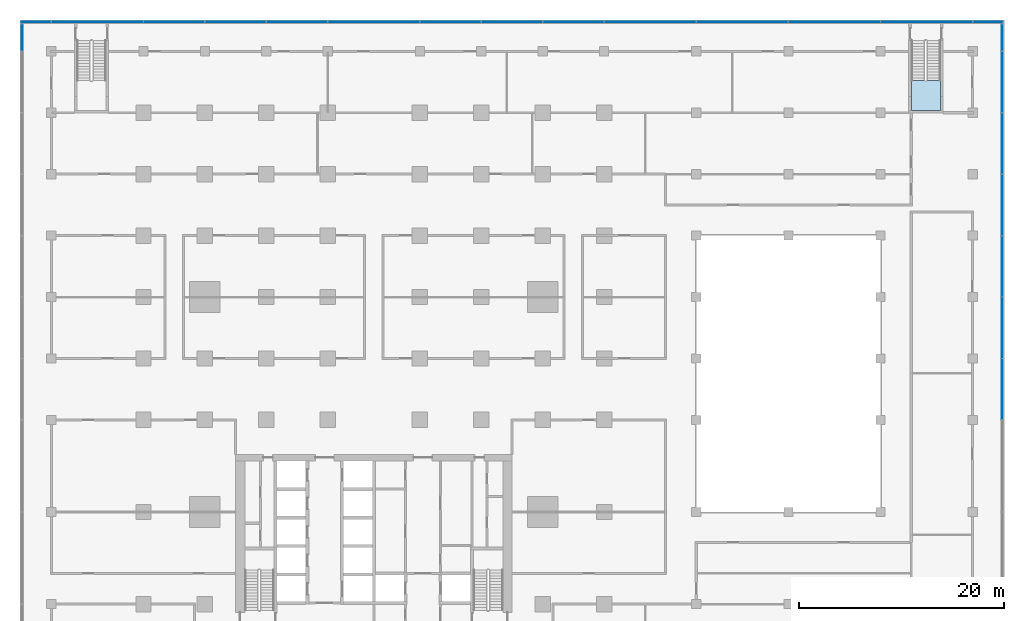
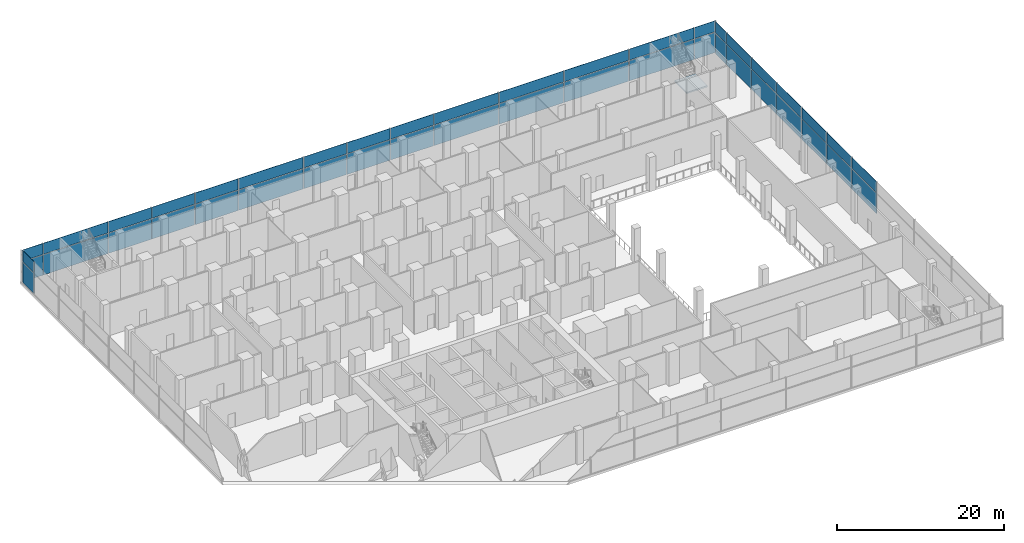
# One storey, part 11 of 22: 44 plates, 1 slab, 4 elements without a shape of their own.
"""IFC4 building model written with IfcOpenShell, lengths in metres."""

from ifc_helpers import new_model, si_unit, direction, frame, origin, origin_2d, place, context, subcontext, project, spatial, polyline, rectangle, outline, extrude, material, layer, layer_set, type_object, element, aggregate, save


model = new_model("IFC4")

# Units and contexts
model_context = context("Model", 3, precision=1e-05, world=origin(), true_north=direction((0.0, 1.0)))
body_context = subcontext(model_context, "Body", "Model", "MODEL_VIEW")
ifc_project = project(units=[si_unit("LENGTHUNIT", "METRE"), si_unit("AREAUNIT", "SQUARE_METRE"), si_unit("VOLUMEUNIT", "CUBIC_METRE"), si_unit("PLANEANGLEUNIT", "RADIAN"), si_unit("MASSUNIT", "GRAM", prefix="KILO")], contexts=[model_context])

# Site, building, storey
site_placement = place(None, origin())
site = spatial("IfcSite", under=ifc_project, at=site_placement, CompositionType="ELEMENT")
building_placement = place(site_placement, origin())
building = spatial("IfcBuilding", under=site, at=building_placement, Name="Finial Court Residences", CompositionType="ELEMENT")
storey_placement = place(building_placement, frame((0.0, 0.0, 13.5)))
storey = spatial("IfcBuildingStorey", under=building, at=storey_placement, Name="L02", CompositionType="ELEMENT", Elevation=13.5)

# Curtain wall, plates
ifc_material_1 = material(Name="Bronze anodised aluminium", Category="aluminium")
curtain_wall_type = type_object("IfcCurtainWallType", Name="Podium curtain wall", PredefinedType="NOTDEFINED", material=ifc_material_1)
curtain_wall_1_placement = place(storey_placement, origin())
curtain_wall_1 = element("IfcCurtainWall", 1, at=curtain_wall_1_placement, inside=storey, type_object=curtain_wall_type, Name="E-L02-CW-N1", PredefinedType="NOTDEFINED")
ifc_material_2 = material(Name="Clear low-e glass", Category="glass")
ifc_layer_1 = layer(ifc_material_2, 0.035888671875)
ifc_layer_set_1 = layer_set([ifc_layer_1], Name="CW5 vision glass 36")
plate_type = type_object("IfcPlateType", Name="CW5 vision glass 36", PredefinedType="CURTAIN_PANEL", material=ifc_layer_set_1)
plate_1_placement = place(storey_placement, frame((-32.97998046875, 34.35009765625, 0.0), z_axis=(0.0, 0.0, 1.0), x_axis=(1.0, 0.0, 0.0)))
plate_1 = element("IfcPlate", 2, at=plate_1_placement, type_object=plate_type, Name="CW5 glass 1.1", PredefinedType="CURTAIN_PANEL", context=body_context, shape_type="SweptSolid", body=[
    extrude(rectangle(XDim=2.8798828125, YDim=0.035888671875, at=origin_2d()), origin(), (0.0, 0.0, 1.0), 2.9599609375),
])
plate_2_placement = place(storey_placement, frame((-32.97998046875, 34.35009765625, 3.0400390625), z_axis=(0.0, 0.0, 1.0), x_axis=(1.0, 0.0, 0.0)))
plate_2 = element("IfcPlate", 3, at=plate_2_placement, type_object=plate_type, Name="CW5 glass 1.2", PredefinedType="CURTAIN_PANEL", context=body_context, shape_type="SweptSolid", body=[
    extrude(rectangle(XDim=2.8798828125, YDim=0.035888671875, at=origin_2d()), origin(), (0.0, 0.0, 1.0), 1.610107421875),
])
plate_3_placement = place(storey_placement, frame((-27.0, 34.35009765625, 0.0), z_axis=(0.0, 0.0, 1.0), x_axis=(1.0, 0.0, 0.0)))
plate_3 = element("IfcPlate", 4, at=plate_3_placement, type_object=plate_type, Name="CW5 glass 2.1", PredefinedType="CURTAIN_PANEL", context=body_context, shape_type="SweptSolid", body=[
    extrude(rectangle(XDim=8.919921875, YDim=0.035888671875, at=origin_2d()), origin(), (0.0, 0.0, 1.0), 2.9599609375),
])
plate_4_placement = place(storey_placement, frame((-27.0, 34.35009765625, 3.0400390625), z_axis=(0.0, 0.0, 1.0), x_axis=(1.0, 0.0, 0.0)))
plate_4 = element("IfcPlate", 5, at=plate_4_placement, type_object=plate_type, Name="CW5 glass 2.2", PredefinedType="CURTAIN_PANEL", context=body_context, shape_type="SweptSolid", body=[
    extrude(rectangle(XDim=8.919921875, YDim=0.035888671875, at=origin_2d()), origin(), (0.0, 0.0, 1.0), 1.610107421875),
])
plate_5_placement = place(storey_placement, frame((-19.5, 34.35009765625, 0.0), z_axis=(0.0, 0.0, 1.0), x_axis=(1.0, 0.0, 0.0)))
plate_5 = element("IfcPlate", 6, at=plate_5_placement, type_object=plate_type, Name="CW5 glass 3.1", PredefinedType="CURTAIN_PANEL", context=body_context, shape_type="SweptSolid", body=[
    extrude(rectangle(XDim=5.919921875, YDim=0.035888671875, at=origin_2d()), origin(), (0.0, 0.0, 1.0), 2.9599609375),
])
plate_6_placement = place(storey_placement, frame((-19.5, 34.35009765625, 3.0400390625), z_axis=(0.0, 0.0, 1.0), x_axis=(1.0, 0.0, 0.0)))
plate_6 = element("IfcPlate", 7, at=plate_6_placement, type_object=plate_type, Name="CW5 glass 3.2", PredefinedType="CURTAIN_PANEL", context=body_context, shape_type="SweptSolid", body=[
    extrude(rectangle(XDim=5.919921875, YDim=0.035888671875, at=origin_2d()), origin(), (0.0, 0.0, 1.0), 1.610107421875),
])
plate_7_placement = place(storey_placement, frame((-13.5, 34.35009765625, 0.0), z_axis=(0.0, 0.0, 1.0), x_axis=(1.0, 0.0, 0.0)))
plate_7 = element("IfcPlate", 8, at=plate_7_placement, type_object=plate_type, Name="CW5 glass 4.1", PredefinedType="CURTAIN_PANEL", context=body_context, shape_type="SweptSolid", body=[
    extrude(rectangle(XDim=5.919921875, YDim=0.035888671875, at=origin_2d()), origin(), (0.0, 0.0, 1.0), 2.9599609375),
])
plate_8_placement = place(storey_placement, frame((-13.5, 34.35009765625, 3.0400390625), z_axis=(0.0, 0.0, 1.0), x_axis=(1.0, 0.0, 0.0)))
plate_8 = element("IfcPlate", 9, at=plate_8_placement, type_object=plate_type, Name="CW5 glass 4.2", PredefinedType="CURTAIN_PANEL", context=body_context, shape_type="SweptSolid", body=[
    extrude(rectangle(XDim=5.919921875, YDim=0.035888671875, at=origin_2d()), origin(), (0.0, 0.0, 1.0), 1.610107421875),
])
plate_9_placement = place(storey_placement, frame((-7.5, 34.35009765625, 0.0), z_axis=(0.0, 0.0, 1.0), x_axis=(1.0, 0.0, 0.0)))
plate_9 = element("IfcPlate", 10, at=plate_9_placement, type_object=plate_type, Name="CW5 glass 5.1", PredefinedType="CURTAIN_PANEL", context=body_context, shape_type="SweptSolid", body=[
    extrude(rectangle(XDim=5.919921875, YDim=0.035888671875, at=origin_2d()), origin(), (0.0, 0.0, 1.0), 2.9599609375),
])
plate_10_placement = place(storey_placement, frame((-7.5, 34.35009765625, 3.0400390625), z_axis=(0.0, 0.0, 1.0), x_axis=(1.0, 0.0, 0.0)))
plate_10 = element("IfcPlate", 11, at=plate_10_placement, type_object=plate_type, Name="CW5 glass 5.2", PredefinedType="CURTAIN_PANEL", context=body_context, shape_type="SweptSolid", body=[
    extrude(rectangle(XDim=5.919921875, YDim=0.035888671875, at=origin_2d()), origin(), (0.0, 0.0, 1.0), 1.610107421875),
])
plate_11_placement = place(storey_placement, frame((0.0, 34.35009765625, 0.0), z_axis=(0.0, 0.0, 1.0), x_axis=(1.0, 0.0, 0.0)))
plate_11 = element("IfcPlate", 12, at=plate_11_placement, type_object=plate_type, Name="CW5 glass 6.1", PredefinedType="CURTAIN_PANEL", context=body_context, shape_type="SweptSolid", body=[
    extrude(rectangle(XDim=8.919921875, YDim=0.035888671875, at=origin_2d()), origin(), (0.0, 0.0, 1.0), 2.9599609375),
])
plate_12_placement = place(storey_placement, frame((0.0, 34.35009765625, 3.0400390625), z_axis=(0.0, 0.0, 1.0), x_axis=(1.0, 0.0, 0.0)))
plate_12 = element("IfcPlate", 13, at=plate_12_placement, type_object=plate_type, Name="CW5 glass 6.2", PredefinedType="CURTAIN_PANEL", context=body_context, shape_type="SweptSolid", body=[
    extrude(rectangle(XDim=8.919921875, YDim=0.035888671875, at=origin_2d()), origin(), (0.0, 0.0, 1.0), 1.610107421875),
])
plate_13_placement = place(storey_placement, frame((7.5, 34.35009765625, 0.0), z_axis=(0.0, 0.0, 1.0), x_axis=(1.0, 0.0, 0.0)))
plate_13 = element("IfcPlate", 14, at=plate_13_placement, type_object=plate_type, Name="CW5 glass 7.1", PredefinedType="CURTAIN_PANEL", context=body_context, shape_type="SweptSolid", body=[
    extrude(rectangle(XDim=5.919921875, YDim=0.035888671875, at=origin_2d()), origin(), (0.0, 0.0, 1.0), 2.9599609375),
])
plate_14_placement = place(storey_placement, frame((7.5, 34.35009765625, 3.0400390625), z_axis=(0.0, 0.0, 1.0), x_axis=(1.0, 0.0, 0.0)))
plate_14 = element("IfcPlate", 15, at=plate_14_placement, type_object=plate_type, Name="CW5 glass 7.2", PredefinedType="CURTAIN_PANEL", context=body_context, shape_type="SweptSolid", body=[
    extrude(rectangle(XDim=5.919921875, YDim=0.035888671875, at=origin_2d()), origin(), (0.0, 0.0, 1.0), 1.610107421875),
])
plate_15_placement = place(storey_placement, frame((13.5, 34.35009765625, 0.0), z_axis=(0.0, 0.0, 1.0), x_axis=(1.0, 0.0, 0.0)))
plate_15 = element("IfcPlate", 16, at=plate_15_placement, type_object=plate_type, Name="CW5 glass 8.1", PredefinedType="CURTAIN_PANEL", context=body_context, shape_type="SweptSolid", body=[
    extrude(rectangle(XDim=5.919921875, YDim=0.035888671875, at=origin_2d()), origin(), (0.0, 0.0, 1.0), 2.9599609375),
])
plate_16_placement = place(storey_placement, frame((13.5, 34.35009765625, 3.0400390625), z_axis=(0.0, 0.0, 1.0), x_axis=(1.0, 0.0, 0.0)))
plate_16 = element("IfcPlate", 17, at=plate_16_placement, type_object=plate_type, Name="CW5 glass 8.2", PredefinedType="CURTAIN_PANEL", context=body_context, shape_type="SweptSolid", body=[
    extrude(rectangle(XDim=5.919921875, YDim=0.035888671875, at=origin_2d()), origin(), (0.0, 0.0, 1.0), 1.610107421875),
])
plate_17_placement = place(storey_placement, frame((19.5, 34.35009765625, 0.0), z_axis=(0.0, 0.0, 1.0), x_axis=(1.0, 0.0, 0.0)))
plate_17 = element("IfcPlate", 18, at=plate_17_placement, type_object=plate_type, Name="CW5 glass 9.1", PredefinedType="CURTAIN_PANEL", context=body_context, shape_type="SweptSolid", body=[
    extrude(rectangle(XDim=5.919921875, YDim=0.035888671875, at=origin_2d()), origin(), (0.0, 0.0, 1.0), 2.9599609375),
])
plate_18_placement = place(storey_placement, frame((19.5, 34.35009765625, 3.0400390625), z_axis=(0.0, 0.0, 1.0), x_axis=(1.0, 0.0, 0.0)))
plate_18 = element("IfcPlate", 19, at=plate_18_placement, type_object=plate_type, Name="CW5 glass 9.2", PredefinedType="CURTAIN_PANEL", context=body_context, shape_type="SweptSolid", body=[
    extrude(rectangle(XDim=5.919921875, YDim=0.035888671875, at=origin_2d()), origin(), (0.0, 0.0, 1.0), 1.610107421875),
])
plate_19_placement = place(storey_placement, frame((27.0, 34.35009765625, 0.0), z_axis=(0.0, 0.0, 1.0), x_axis=(1.0, 0.0, 0.0)))
plate_19 = element("IfcPlate", 20, at=plate_19_placement, type_object=plate_type, Name="CW5 glass 10.1", PredefinedType="CURTAIN_PANEL", context=body_context, shape_type="SweptSolid", body=[
    extrude(rectangle(XDim=8.919921875, YDim=0.035888671875, at=origin_2d()), origin(), (0.0, 0.0, 1.0), 2.9599609375),
])
plate_20_placement = place(storey_placement, frame((27.0, 34.35009765625, 3.0400390625), z_axis=(0.0, 0.0, 1.0), x_axis=(1.0, 0.0, 0.0)))
plate_20 = element("IfcPlate", 21, at=plate_20_placement, type_object=plate_type, Name="CW5 glass 10.2", PredefinedType="CURTAIN_PANEL", context=body_context, shape_type="SweptSolid", body=[
    extrude(rectangle(XDim=8.919921875, YDim=0.035888671875, at=origin_2d()), origin(), (0.0, 0.0, 1.0), 1.610107421875),
])
plate_21_placement = place(storey_placement, frame((36.0, 34.35009765625, 0.0), z_axis=(0.0, 0.0, 1.0), x_axis=(1.0, 0.0, 0.0)))
plate_21 = element("IfcPlate", 22, at=plate_21_placement, type_object=plate_type, Name="CW5 glass 11.1", PredefinedType="CURTAIN_PANEL", context=body_context, shape_type="SweptSolid", body=[
    extrude(rectangle(XDim=8.919921875, YDim=0.035888671875, at=origin_2d()), origin(), (0.0, 0.0, 1.0), 2.9599609375),
])
plate_22_placement = place(storey_placement, frame((36.0, 34.35009765625, 3.0400390625), z_axis=(0.0, 0.0, 1.0), x_axis=(1.0, 0.0, 0.0)))
plate_22 = element("IfcPlate", 23, at=plate_22_placement, type_object=plate_type, Name="CW5 glass 11.2", PredefinedType="CURTAIN_PANEL", context=body_context, shape_type="SweptSolid", body=[
    extrude(rectangle(XDim=8.919921875, YDim=0.035888671875, at=origin_2d()), origin(), (0.0, 0.0, 1.0), 1.610107421875),
])
plate_23_placement = place(storey_placement, frame((45.0, 34.35009765625, 0.0), z_axis=(0.0, 0.0, 1.0), x_axis=(1.0, 0.0, 0.0)))
plate_23 = element("IfcPlate", 24, at=plate_23_placement, type_object=plate_type, Name="CW5 glass 12.1", PredefinedType="CURTAIN_PANEL", context=body_context, shape_type="SweptSolid", body=[
    extrude(rectangle(XDim=8.919921875, YDim=0.035888671875, at=origin_2d()), origin(), (0.0, 0.0, 1.0), 2.9599609375),
])
plate_24_placement = place(storey_placement, frame((45.0, 34.35009765625, 3.0400390625), z_axis=(0.0, 0.0, 1.0), x_axis=(1.0, 0.0, 0.0)))
plate_24 = element("IfcPlate", 25, at=plate_24_placement, type_object=plate_type, Name="CW5 glass 12.2", PredefinedType="CURTAIN_PANEL", context=body_context, shape_type="SweptSolid", body=[
    extrude(rectangle(XDim=8.919921875, YDim=0.035888671875, at=origin_2d()), origin(), (0.0, 0.0, 1.0), 1.610107421875),
])
plate_25_placement = place(storey_placement, frame((54.0, 34.35009765625, 0.0), z_axis=(0.0, 0.0, 1.0), x_axis=(1.0, 0.0, 0.0)))
plate_25 = element("IfcPlate", 26, at=plate_25_placement, type_object=plate_type, Name="CW5 glass 13.1", PredefinedType="CURTAIN_PANEL", context=body_context, shape_type="SweptSolid", body=[
    extrude(rectangle(XDim=8.919921875, YDim=0.035888671875, at=origin_2d()), origin(), (0.0, 0.0, 1.0), 2.9599609375),
])
plate_26_placement = place(storey_placement, frame((54.0, 34.35009765625, 3.0400390625), z_axis=(0.0, 0.0, 1.0), x_axis=(1.0, 0.0, 0.0)))
plate_26 = element("IfcPlate", 27, at=plate_26_placement, type_object=plate_type, Name="CW5 glass 13.2", PredefinedType="CURTAIN_PANEL", context=body_context, shape_type="SweptSolid", body=[
    extrude(rectangle(XDim=8.919921875, YDim=0.035888671875, at=origin_2d()), origin(), (0.0, 0.0, 1.0), 1.610107421875),
])
plate_27_placement = place(storey_placement, frame((59.97998046875, 34.35009765625, 0.0), z_axis=(0.0, 0.0, 1.0), x_axis=(1.0, 0.0, 0.0)))
plate_27 = element("IfcPlate", 28, at=plate_27_placement, type_object=plate_type, Name="CW5 glass 14.1", PredefinedType="CURTAIN_PANEL", context=body_context, shape_type="SweptSolid", body=[
    extrude(rectangle(XDim=2.8798828125, YDim=0.035888671875, at=origin_2d()), origin(), (0.0, 0.0, 1.0), 2.9599609375),
])
plate_28_placement = place(storey_placement, frame((59.97998046875, 34.35009765625, 3.0400390625), z_axis=(0.0, 0.0, 1.0), x_axis=(1.0, 0.0, 0.0)))
plate_28 = element("IfcPlate", 29, at=plate_28_placement, type_object=plate_type, Name="CW5 glass 14.2", PredefinedType="CURTAIN_PANEL", context=body_context, shape_type="SweptSolid", body=[
    extrude(rectangle(XDim=2.8798828125, YDim=0.035888671875, at=origin_2d()), origin(), (0.0, 0.0, 1.0), 1.610107421875),
])
aggregate(curtain_wall_1, [plate_1, plate_2, plate_3, plate_4, plate_5, plate_6, plate_7, plate_8, plate_9, plate_10, plate_11, plate_12, plate_13, plate_14, plate_15, plate_16, plate_17, plate_18, plate_19, plate_20, plate_21, plate_22, plate_23, plate_24, plate_25, plate_26, plate_27, plate_28])

curtain_wall_2_placement = place(storey_placement, origin())
curtain_wall_2 = element("IfcCurtainWall", 30, at=curtain_wall_2_placement, inside=storey, type_object=curtain_wall_type, Name="E-L02-CW-E2", PredefinedType="NOTDEFINED")
plate_29_placement = place(storey_placement, frame((61.35009765625, -1.5, 0.0), z_axis=(0.0, 0.0, 1.0), x_axis=(0.0, 1.0, 0.0)))
plate_29 = element("IfcPlate", 31, at=plate_29_placement, type_object=plate_type, Name="CW5 glass 5.1", PredefinedType="CURTAIN_PANEL", context=body_context, shape_type="SweptSolid", body=[
    extrude(rectangle(XDim=5.919921875, YDim=0.035888671875, at=origin_2d()), origin(), (0.0, 0.0, 1.0), 2.9599609375),
])
plate_30_placement = place(storey_placement, frame((61.35009765625, -1.5, 3.0400390625), z_axis=(0.0, 0.0, 1.0), x_axis=(0.0, 1.0, 0.0)))
plate_30 = element("IfcPlate", 32, at=plate_30_placement, type_object=plate_type, Name="CW5 glass 5.2", PredefinedType="CURTAIN_PANEL", context=body_context, shape_type="SweptSolid", body=[
    extrude(rectangle(XDim=5.919921875, YDim=0.035888671875, at=origin_2d()), origin(), (0.0, 0.0, 1.0), 1.610107421875),
])
plate_31_placement = place(storey_placement, frame((61.35009765625, 4.5, 0.0), z_axis=(0.0, 0.0, 1.0), x_axis=(0.0, 1.0, 0.0)))
plate_31 = element("IfcPlate", 33, at=plate_31_placement, type_object=plate_type, Name="CW5 glass 6.1", PredefinedType="CURTAIN_PANEL", context=body_context, shape_type="SweptSolid", body=[
    extrude(rectangle(XDim=5.919921875, YDim=0.035888671875, at=origin_2d()), origin(), (0.0, 0.0, 1.0), 2.9599609375),
])
plate_32_placement = place(storey_placement, frame((61.35009765625, 4.5, 3.0400390625), z_axis=(0.0, 0.0, 1.0), x_axis=(0.0, 1.0, 0.0)))
plate_32 = element("IfcPlate", 34, at=plate_32_placement, type_object=plate_type, Name="CW5 glass 6.2", PredefinedType="CURTAIN_PANEL", context=body_context, shape_type="SweptSolid", body=[
    extrude(rectangle(XDim=5.919921875, YDim=0.035888671875, at=origin_2d()), origin(), (0.0, 0.0, 1.0), 1.610107421875),
])
plate_33_placement = place(storey_placement, frame((61.35009765625, 10.5, 0.0), z_axis=(0.0, 0.0, 1.0), x_axis=(0.0, 1.0, 0.0)))
plate_33 = element("IfcPlate", 35, at=plate_33_placement, type_object=plate_type, Name="CW5 glass 7.1", PredefinedType="CURTAIN_PANEL", context=body_context, shape_type="SweptSolid", body=[
    extrude(rectangle(XDim=5.919921875, YDim=0.035888671875, at=origin_2d()), origin(), (0.0, 0.0, 1.0), 2.9599609375),
])
plate_34_placement = place(storey_placement, frame((61.35009765625, 10.5, 3.0400390625), z_axis=(0.0, 0.0, 1.0), x_axis=(0.0, 1.0, 0.0)))
plate_34 = element("IfcPlate", 36, at=plate_34_placement, type_object=plate_type, Name="CW5 glass 7.2", PredefinedType="CURTAIN_PANEL", context=body_context, shape_type="SweptSolid", body=[
    extrude(rectangle(XDim=5.919921875, YDim=0.035888671875, at=origin_2d()), origin(), (0.0, 0.0, 1.0), 1.610107421875),
])
plate_35_placement = place(storey_placement, frame((61.35009765625, 16.5, 0.0), z_axis=(0.0, 0.0, 1.0), x_axis=(0.0, 1.0, 0.0)))
plate_35 = element("IfcPlate", 37, at=plate_35_placement, type_object=plate_type, Name="CW5 glass 8.1", PredefinedType="CURTAIN_PANEL", context=body_context, shape_type="SweptSolid", body=[
    extrude(rectangle(XDim=5.919921875, YDim=0.035888671875, at=origin_2d()), origin(), (0.0, 0.0, 1.0), 2.9599609375),
])
plate_36_placement = place(storey_placement, frame((61.35009765625, 16.5, 3.0400390625), z_axis=(0.0, 0.0, 1.0), x_axis=(0.0, 1.0, 0.0)))
plate_36 = element("IfcPlate", 38, at=plate_36_placement, type_object=plate_type, Name="CW5 glass 8.2", PredefinedType="CURTAIN_PANEL", context=body_context, shape_type="SweptSolid", body=[
    extrude(rectangle(XDim=5.919921875, YDim=0.035888671875, at=origin_2d()), origin(), (0.0, 0.0, 1.0), 1.610107421875),
])
plate_37_placement = place(storey_placement, frame((61.35009765625, 22.5, 0.0), z_axis=(0.0, 0.0, 1.0), x_axis=(0.0, 1.0, 0.0)))
plate_37 = element("IfcPlate", 39, at=plate_37_placement, type_object=plate_type, Name="CW5 glass 9.1", PredefinedType="CURTAIN_PANEL", context=body_context, shape_type="SweptSolid", body=[
    extrude(rectangle(XDim=5.919921875, YDim=0.035888671875, at=origin_2d()), origin(), (0.0, 0.0, 1.0), 2.9599609375),
])
plate_38_placement = place(storey_placement, frame((61.35009765625, 22.5, 3.0400390625), z_axis=(0.0, 0.0, 1.0), x_axis=(0.0, 1.0, 0.0)))
plate_38 = element("IfcPlate", 40, at=plate_38_placement, type_object=plate_type, Name="CW5 glass 9.2", PredefinedType="CURTAIN_PANEL", context=body_context, shape_type="SweptSolid", body=[
    extrude(rectangle(XDim=5.919921875, YDim=0.035888671875, at=origin_2d()), origin(), (0.0, 0.0, 1.0), 1.610107421875),
])
plate_39_placement = place(storey_placement, frame((61.35009765625, 28.5, 0.0), z_axis=(0.0, 0.0, 1.0), x_axis=(0.0, 1.0, 0.0)))
plate_39 = element("IfcPlate", 41, at=plate_39_placement, type_object=plate_type, Name="CW5 glass 10.1", PredefinedType="CURTAIN_PANEL", context=body_context, shape_type="SweptSolid", body=[
    extrude(rectangle(XDim=5.919921875, YDim=0.035888671875, at=origin_2d()), origin(), (0.0, 0.0, 1.0), 2.9599609375),
])
plate_40_placement = place(storey_placement, frame((61.35009765625, 28.5, 3.0400390625), z_axis=(0.0, 0.0, 1.0), x_axis=(0.0, 1.0, 0.0)))
plate_40 = element("IfcPlate", 42, at=plate_40_placement, type_object=plate_type, Name="CW5 glass 10.2", PredefinedType="CURTAIN_PANEL", context=body_context, shape_type="SweptSolid", body=[
    extrude(rectangle(XDim=5.919921875, YDim=0.035888671875, at=origin_2d()), origin(), (0.0, 0.0, 1.0), 1.610107421875),
])
plate_41_placement = place(storey_placement, frame((61.35009765625, 32.8486328125, 0.0), z_axis=(0.0, 0.0, 1.0), x_axis=(0.0, 1.0, 0.0)))
plate_41 = element("IfcPlate", 43, at=plate_41_placement, type_object=plate_type, Name="CW5 glass 11.1", PredefinedType="CURTAIN_PANEL", context=body_context, shape_type="SweptSolid", body=[
    extrude(rectangle(XDim=2.617431640625, YDim=0.035888671875, at=origin_2d()), origin(), (0.0, 0.0, 1.0), 2.9599609375),
])
plate_42_placement = place(storey_placement, frame((61.35009765625, 32.8486328125, 3.0400390625), z_axis=(0.0, 0.0, 1.0), x_axis=(0.0, 1.0, 0.0)))
plate_42 = element("IfcPlate", 44, at=plate_42_placement, type_object=plate_type, Name="CW5 glass 11.2", PredefinedType="CURTAIN_PANEL", context=body_context, shape_type="SweptSolid", body=[
    extrude(rectangle(XDim=2.617431640625, YDim=0.035888671875, at=origin_2d()), origin(), (0.0, 0.0, 1.0), 1.610107421875),
])
aggregate(curtain_wall_2, [plate_29, plate_30, plate_31, plate_32, plate_33, plate_34, plate_35, plate_36, plate_37, plate_38, plate_39, plate_40, plate_41, plate_42])

curtain_wall_3_placement = place(storey_placement, origin())
curtain_wall_3 = element("IfcCurtainWall", 45, at=curtain_wall_3_placement, inside=storey, type_object=curtain_wall_type, Name="E-L02-CW-W4", PredefinedType="NOTDEFINED")
plate_43_placement = place(storey_placement, frame((-34.35009765625, 32.8486328125, 0.0), z_axis=(0.0, 0.0, 1.0), x_axis=(0.0, 1.0, 0.0)))
plate_43 = element("IfcPlate", 46, at=plate_43_placement, type_object=plate_type, Name="CW5 glass 11.1", PredefinedType="CURTAIN_PANEL", context=body_context, shape_type="SweptSolid", body=[
    extrude(rectangle(XDim=2.617431640625, YDim=0.035888671875, at=origin_2d()), origin(), (0.0, 0.0, 1.0), 2.9599609375),
])
plate_44_placement = place(storey_placement, frame((-34.35009765625, 32.8486328125, 3.0400390625), z_axis=(0.0, 0.0, 1.0), x_axis=(0.0, 1.0, 0.0)))
plate_44 = element("IfcPlate", 47, at=plate_44_placement, type_object=plate_type, Name="CW5 glass 11.2", PredefinedType="CURTAIN_PANEL", context=body_context, shape_type="SweptSolid", body=[
    extrude(rectangle(XDim=2.617431640625, YDim=0.035888671875, at=origin_2d()), origin(), (0.0, 0.0, 1.0), 1.610107421875),
])
aggregate(curtain_wall_3, [plate_43, plate_44])

# Stair, slab
ifc_material_3 = material(Name="Concrete C50/60", Category="concrete")
stair_type = type_object("IfcStairType", Name="Exit stair 30 risers of 166.7 mm", PredefinedType="HALF_TURN_STAIR", material=ifc_material_3)
stair_placement = place(storey_placement, origin())
stair = element("IfcStair", 48, at=stair_placement, inside=storey, type_object=stair_type, Name="L02 Exit Stair 5", PredefinedType="HALF_TURN_STAIR")
ifc_layer_2 = layer(ifc_material_3, 0.199951171875)
ifc_layer_set_2 = layer_set([ifc_layer_2], Name="Exit stair landing")
slab_type = type_object("IfcSlabType", Name="Exit stair landing", PredefinedType="LANDING", material=ifc_layer_set_2)
slab_placement = place(storey_placement, frame((0.0, 0.0, 2.300048828125)))
slab = element("IfcSlab", 49, at=slab_placement, type_object=slab_type, Name="ST-5 landing 1", PredefinedType="LANDING", context=body_context, shape_type="SweptSolid", body=[
    extrude(outline(polyline([(52.5, 28.6298828125), (52.5, 25.719970703125), (55.35009765625, 25.719970703125), (55.35009765625, 28.6298828125), (52.5, 28.6298828125)])), origin(), (0.0, 0.0, 1.0), 0.199951171875),
])
aggregate(stair, [slab])

save(model, "model.ifc")
